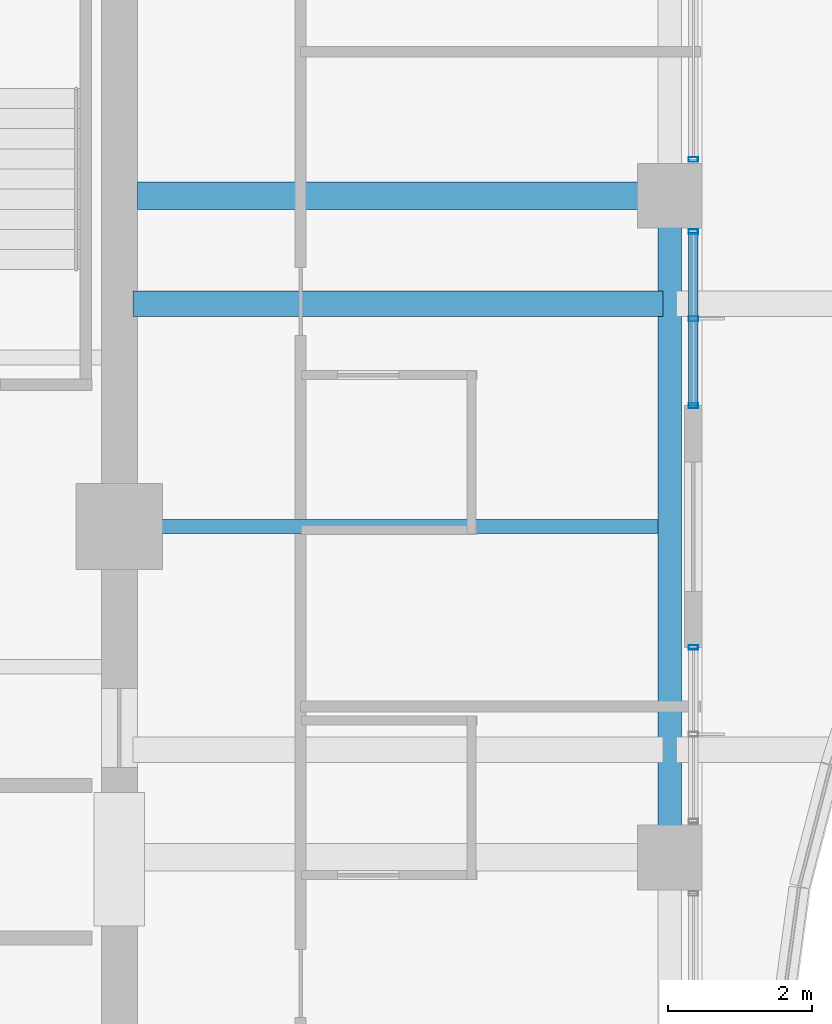
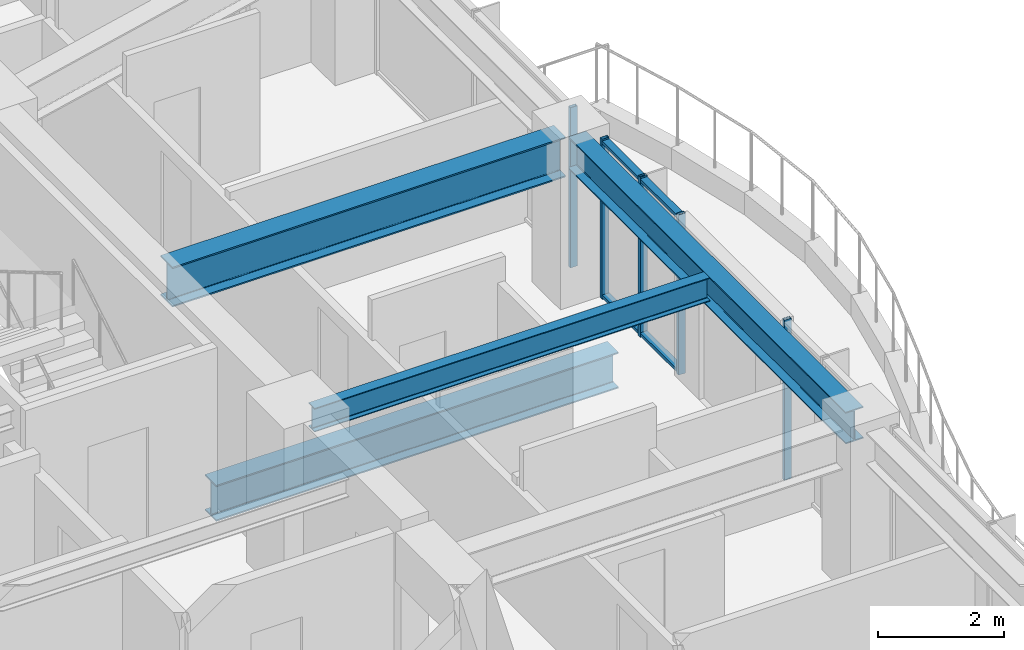
# One storey, part 14 of 32: 7 members, 4 beams, 3 elements without a shape of their own.
"""IFC4 building model written with IfcOpenShell, lengths in metres."""

from ifc_helpers import new_model, si_unit, direction, frame, origin, origin_2d, place, context, subcontext, project, spatial, hollow_rectangle, i_section, extrude, material, material_profile, profile_set, type_object, element, aggregate, save


model = new_model("IFC4")

# Units and contexts
model_context = context("Model", 3, precision=1e-05, world=origin(), true_north=direction((0.0, 1.0)))
body_context = subcontext(model_context, "Body", "Model", "MODEL_VIEW")
ifc_project = project(units=[si_unit("LENGTHUNIT", "METRE"), si_unit("AREAUNIT", "SQUARE_METRE"), si_unit("VOLUMEUNIT", "CUBIC_METRE"), si_unit("PLANEANGLEUNIT", "RADIAN"), si_unit("MASSUNIT", "GRAM", prefix="KILO")], contexts=[model_context])

# Site, building, storey
site_placement = place(None, origin())
site = spatial("IfcSite", under=ifc_project, at=site_placement, CompositionType="ELEMENT")
building_placement = place(site_placement, origin())
building = spatial("IfcBuilding", under=site, at=building_placement, Name="Kolvaren Belvedere", CompositionType="ELEMENT")
storey_placement = place(building_placement, frame((0.0, 0.0, 141.5)))
storey = spatial("IfcBuildingStorey", under=building, at=storey_placement, Name="L41", CompositionType="ELEMENT", Elevation=141.5)

# Beams
ifc_material_1 = material(Name="Structural steel ASTM A992 Grade 50", Category="steel")
ifc_material_profile_1 = material_profile(ifc_material_1, i_section(OverallWidth=0.35498046875, OverallDepth=0.696044921875, WebThickness=0.015380859375, FlangeThickness=0.02490234375, FilletRadius=0.02197265625, at=origin_2d()), Name="W27X146")
ifc_profile_set_1 = profile_set([ifc_material_profile_1], Name="Structural steel ASTM A992 Grade 50")
beam_type_1 = type_object("IfcBeamType", Name="BM-GIRD-W27X146", PredefinedType="BEAM", material=ifc_profile_set_1)
beam_1_placement = place(storey_placement, frame((10.090087890625, 3.10009765625, -0.548095703125), z_axis=(1.0, 0.0, 0.0), x_axis=(0.0, 1.0, 0.0)))
element("IfcBeam", 1, at=beam_1_placement, inside=storey, type_object=beam_type_1, Name="L41 Balcony Interior Back-Span Girder BAL-E-2", PredefinedType="BEAM", context=body_context, shape_type="SweptSolid", body=[
    extrude(i_section(OverallWidth=0.35498046875, OverallDepth=0.696044921875, WebThickness=0.015380859375, FlangeThickness=0.02490234375, FilletRadius=0.02197265625, at=origin_2d()), origin(), (0.0, 0.0, 1.0), 7.364990234375),
])
ifc_material_2 = material(Name="Structural steel ASTM A992 Grade 50", Category="steel")
ifc_material_profile_2 = material_profile(ifc_material_2, i_section(OverallWidth=0.381103515625, OverallDepth=0.77294921875, WebThickness=0.0166015625, FlangeThickness=0.027099609375, FilletRadius=0.02392578125, at=origin_2d()), Name="W30X173")
ifc_profile_set_2 = profile_set([ifc_material_profile_2], Name="Structural steel ASTM A992 Grade 50")
beam_type_2 = type_object("IfcBeamType", Name="BM-GIRD-W30X173", PredefinedType="BEAM", material=ifc_profile_set_2)
beam_2_placement = place(storey_placement, frame((10.14990234375, 4.60009765625, 2.71337890625), z_axis=(1.0, 0.0, 0.0), x_axis=(0.0, 1.0, 0.0)))
element("IfcBeam", 2, at=beam_2_placement, inside=storey, type_object=beam_type_2, Name="L41 East Radial Girder P", PredefinedType="BEAM", context=body_context, shape_type="SweptSolid", body=[
    extrude(i_section(OverallWidth=0.381103515625, OverallDepth=0.77294921875, WebThickness=0.0166015625, FlangeThickness=0.027099609375, FilletRadius=0.02392578125, at=origin_2d()), origin(), (0.0, 0.0, 1.0), 7.197509765625),
])
ifc_material_3 = material(Name="Structural steel ASTM A992 Grade 50", Category="steel")
ifc_material_profile_3 = material_profile(ifc_material_3, i_section(OverallWidth=0.19091796875, OverallDepth=0.4599609375, WebThickness=0.010009765625, FlangeThickness=0.01611328125, FilletRadius=0.014892578125, at=origin_2d()), Name="W18X55")
ifc_profile_set_3 = profile_set([ifc_material_profile_3], Name="Structural steel ASTM A992 Grade 50")
beam_type_3 = type_object("IfcBeamType", Name="BM-JOIST-W18X55", PredefinedType="BEAM", material=ifc_profile_set_3)
beam_3_placement = place(storey_placement, frame((10.14990234375, 0.0, 2.8701171875), z_axis=(1.0, 0.0, 0.0), x_axis=(0.0, 1.0, 0.0)))
element("IfcBeam", 3, at=beam_3_placement, inside=storey, type_object=beam_type_3, Name="L41 East Centre Floor Beam", PredefinedType="BEAM", context=body_context, shape_type="SweptSolid", body=[
    extrude(i_section(OverallWidth=0.19091796875, OverallDepth=0.4599609375, WebThickness=0.010009765625, FlangeThickness=0.01611328125, FilletRadius=0.014892578125, at=origin_2d()), origin(), (0.0, 0.0, 1.0), 7.237548828125),
])
ifc_material_4 = material(Name="Structural steel ASTM A992 Grade 50", Category="steel")
ifc_material_profile_4 = material_profile(ifc_material_4, i_section(OverallWidth=0.324951171875, OverallDepth=0.615966796875, WebThickness=0.013916015625, FlangeThickness=0.021484375, FilletRadius=0.02001953125, at=origin_2d()), Name="W24X117")
ifc_profile_set_4 = profile_set([ifc_material_profile_4], Name="Structural steel ASTM A992 Grade 50")
beam_type_4 = type_object("IfcBeamType", Name="BM-SPAN-W24X117", PredefinedType="SPANDREL", material=ifc_profile_set_4)
beam_4_placement = place(storey_placement, frame((17.550048828125, -4.3974609375, 2.7919921875), z_axis=(0.0, 1.0, 0.0), x_axis=(-1.0, 0.0, 0.0)))
element("IfcBeam", 4, at=beam_4_placement, inside=storey, type_object=beam_type_4, Name="L41 Perimeter Spandrel E2-E3", PredefinedType="SPANDREL", context=body_context, shape_type="SweptSolid", body=[
    extrude(i_section(OverallWidth=0.324951171875, OverallDepth=0.615966796875, WebThickness=0.013916015625, FlangeThickness=0.021484375, FilletRadius=0.02001953125, at=origin_2d()), origin(), (0.0, 0.0, 1.0), 8.794921875),
])

# Curtain wall, member
ifc_material_5 = material(Name="Anodised pale-metal aluminium AA 6063-T6", Category="aluminium")
curtain_wall_type = type_object("IfcCurtainWallType", Name="CW-Z3-WAIST", PredefinedType="NOTDEFINED", material=ifc_material_5)
curtain_wall_1_placement = place(storey_placement, origin())
curtain_wall_1 = element("IfcCurtainWall", 5, at=curtain_wall_1_placement, inside=storey, type_object=curtain_wall_type, Name="L41 Unitised Curtain Wall FCW-L41-E1-B1", PredefinedType="NOTDEFINED")
ifc_material_6 = material(Name="Anodised pale-metal aluminium AA 6063-T6", Category="aluminium")
ifc_material_profile_5 = material_profile(ifc_material_6, hollow_rectangle(XDim=0.06494140625, YDim=0.1298828125, WallThickness=0.00390625, at=origin_2d()), Name="ALU-MUL-130X65")
ifc_profile_set_5 = profile_set([ifc_material_profile_5], Name="Anodised pale-metal aluminium AA 6063-T6")
member_type_1 = type_object("IfcMemberType", Name="CW-MUL-130", PredefinedType="MULLION", material=ifc_profile_set_5)
member_1_placement = place(storey_placement, frame((17.8798828125, 5.1025390625, 0.0), z_axis=(0.0, 0.0, 1.0), x_axis=(0.0, 1.0, 0.0)))
member_1 = element("IfcMember", 6, at=member_1_placement, type_object=member_type_1, Name="FCW-L41-E1-B1 Unitised Mullion 3", PredefinedType="MULLION", context=body_context, shape_type="SweptSolid", body=[
    extrude(hollow_rectangle(XDim=0.06494140625, YDim=0.1298828125, WallThickness=0.00390625, at=origin_2d()), origin(), (0.0, 0.0, 1.0), 3.10009765625),
])
aggregate(curtain_wall_1, [member_1])

# Curtain wall, members
curtain_wall_2_placement = place(storey_placement, origin())
curtain_wall_2 = element("IfcCurtainWall", 7, at=curtain_wall_2_placement, inside=storey, type_object=curtain_wall_type, Name="L41 Unitised Curtain Wall FCW-L41-E1-B2", PredefinedType="NOTDEFINED")
member_2_placement = place(storey_placement, frame((17.8798828125, 4.097412109375, 0.0), z_axis=(0.0, 0.0, 1.0), x_axis=(0.0, 1.0, 0.0)))
member_2 = element("IfcMember", 8, at=member_2_placement, type_object=member_type_1, Name="FCW-L41-E1-B2 Unitised Mullion 1", PredefinedType="MULLION", context=body_context, shape_type="SweptSolid", body=[
    extrude(hollow_rectangle(XDim=0.06494140625, YDim=0.1298828125, WallThickness=0.00390625, at=origin_2d()), origin(), (0.0, 0.0, 1.0), 3.10009765625),
])
member_3_placement = place(storey_placement, frame((17.8798828125, 2.888671875, 0.0), z_axis=(0.0, 0.0, 1.0), x_axis=(0.0, 1.0, 0.0)))
member_3 = element("IfcMember", 9, at=member_3_placement, type_object=member_type_1, Name="FCW-L41-E1-B2 Unitised Mullion 2", PredefinedType="MULLION", context=body_context, shape_type="SweptSolid", body=[
    extrude(hollow_rectangle(XDim=0.06494140625, YDim=0.1298828125, WallThickness=0.00390625, at=origin_2d()), origin(), (0.0, 0.0, 1.0), 3.10009765625),
])
member_4_placement = place(storey_placement, frame((17.8798828125, 1.679931640625, 0.0), z_axis=(0.0, 0.0, 1.0), x_axis=(0.0, 1.0, 0.0)))
member_4 = element("IfcMember", 10, at=member_4_placement, type_object=member_type_1, Name="FCW-L41-E1-B2 Unitised Mullion 3", PredefinedType="MULLION", context=body_context, shape_type="SweptSolid", body=[
    extrude(hollow_rectangle(XDim=0.06494140625, YDim=0.1298828125, WallThickness=0.00390625, at=origin_2d()), origin(), (0.0, 0.0, 1.0), 3.10009765625),
])

# Curtain wall, member
curtain_wall_3_placement = place(storey_placement, origin())
curtain_wall_3 = element("IfcCurtainWall", 11, at=curtain_wall_3_placement, inside=storey, type_object=curtain_wall_type, Name="L41 Unitised Curtain Wall FCW-L41-E2-B1", PredefinedType="NOTDEFINED")
member_5_placement = place(storey_placement, frame((17.8798828125, -1.679931640625, 0.0), z_axis=(0.0, 0.0, 1.0), x_axis=(0.0, 1.0, 0.0)))
member_5 = element("IfcMember", 12, at=member_5_placement, type_object=member_type_1, Name="FCW-L41-E2-B1 Unitised Mullion 1", PredefinedType="MULLION", context=body_context, shape_type="SweptSolid", body=[
    extrude(hollow_rectangle(XDim=0.06494140625, YDim=0.1298828125, WallThickness=0.00390625, at=origin_2d()), origin(), (0.0, 0.0, 1.0), 3.10009765625),
])
aggregate(curtain_wall_3, [member_5])

# Member
ifc_material_7 = material(Name="Anodised pale-metal aluminium AA 6063-T6", Category="aluminium")
ifc_material_profile_6 = material_profile(ifc_material_7, hollow_rectangle(XDim=0.06005859375, YDim=0.1298828125, WallThickness=0.00390625, at=origin_2d()), Name="ALU-TRN-130X60")
ifc_profile_set_6 = profile_set([ifc_material_profile_6], Name="Anodised pale-metal aluminium AA 6063-T6")
member_type_2 = type_object("IfcMemberType", Name="CW-TRN-130", PredefinedType="USERDEFINED", material=ifc_profile_set_6)
member_6_placement = place(storey_placement, frame((17.8798828125, 4.097412109375, 0.06005859375), z_axis=(0.0, -1.0, 0.0), x_axis=(0.0, 0.0, 1.0)))
member_6 = element("IfcMember", 13, at=member_6_placement, type_object=member_type_2, Name="FCW-L41-E1-B2 Sill Transom", ObjectType="TRANSOM", PredefinedType="USERDEFINED", context=body_context, shape_type="SweptSolid", body=[
    extrude(hollow_rectangle(XDim=0.06005859375, YDim=0.1298828125, WallThickness=0.00390625, at=origin_2d()), origin(), (0.0, 0.0, 1.0), 2.41748046875),
])

member_7_placement = place(storey_placement, frame((17.8798828125, 4.097412109375, 3.0400390625), z_axis=(0.0, -1.0, 0.0), x_axis=(0.0, 0.0, 1.0)))
member_7 = element("IfcMember", 14, at=member_7_placement, type_object=member_type_2, Name="FCW-L41-E1-B2 Head Transom", ObjectType="TRANSOM", PredefinedType="USERDEFINED", context=body_context, shape_type="SweptSolid", body=[
    extrude(hollow_rectangle(XDim=0.06005859375, YDim=0.1298828125, WallThickness=0.00390625, at=origin_2d()), origin(), (0.0, 0.0, 1.0), 2.41748046875),
])

aggregate(curtain_wall_2, [member_2, member_3, member_4, member_6, member_7])

save(model, "model.ifc")
